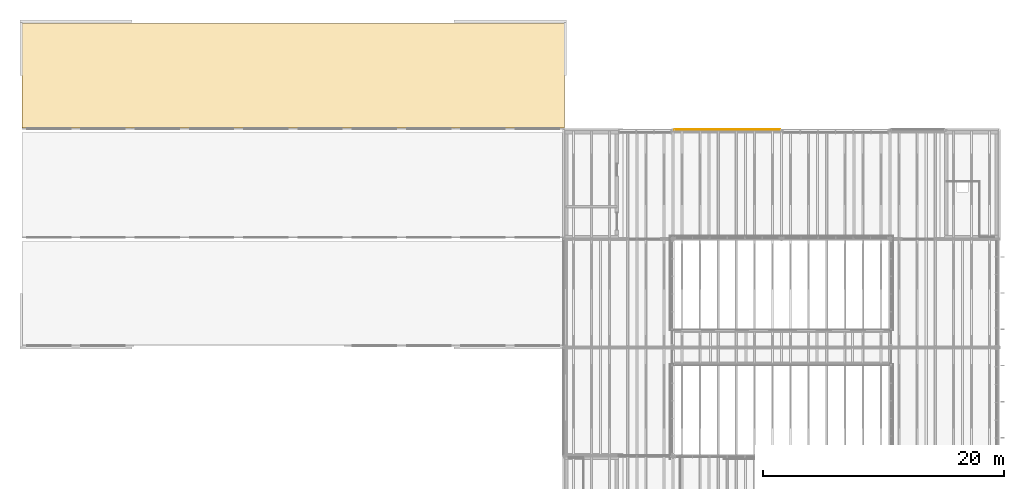
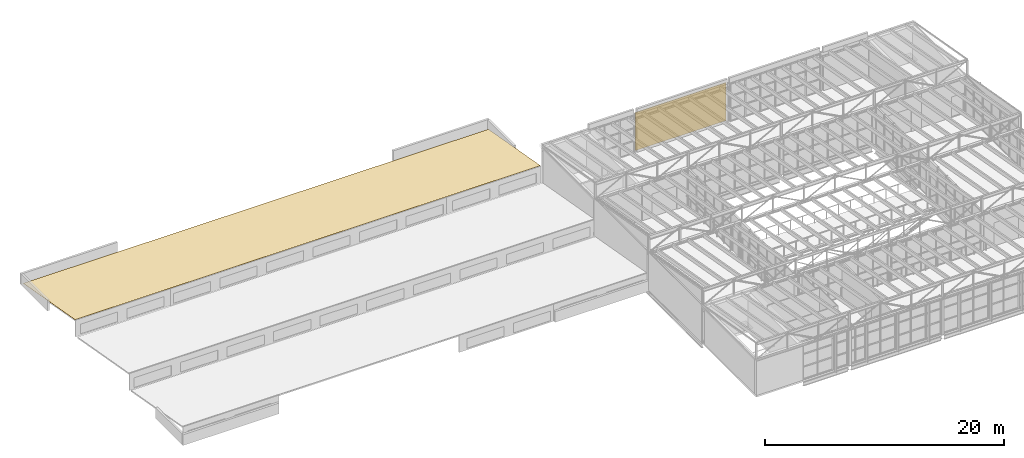
# One storey, part 43 of 44: 2 coverings.
"""IFC4 building model written with IfcOpenShell, lengths in metres."""

from ifc_helpers import new_model, si_unit, direction, frame, frame_2d, origin, place, context, subcontext, project, spatial, polyline, rectangle, outline, extrude, material, layer, layer_set, type_object, element, save


model = new_model("IFC4")

# Units and contexts
model_context = context("Model", 3, precision=1e-05, world=origin(), true_north=direction((0.0, 1.0)))
body_context = subcontext(model_context, "Body", "Model", "MODEL_VIEW")
ifc_project = project(units=[si_unit("LENGTHUNIT", "METRE"), si_unit("AREAUNIT", "SQUARE_METRE"), si_unit("VOLUMEUNIT", "CUBIC_METRE"), si_unit("PLANEANGLEUNIT", "RADIAN"), si_unit("MASSUNIT", "GRAM", prefix="KILO")], contexts=[model_context])

# Site, building, storey
site_placement = place(None, origin())
site = spatial("IfcSite", under=ifc_project, at=site_placement, CompositionType="ELEMENT")
building_placement = place(site_placement, origin())
building = spatial("IfcBuilding", under=site, at=building_placement, Name="Halyard Row Museum", CompositionType="ELEMENT")
storey_placement = place(building_placement, frame((0.0, 0.0, 21.199951171875)))
storey = spatial("IfcBuildingStorey", under=building, at=storey_placement, Name="L04", CompositionType="ELEMENT", Elevation=21.199951171875)

# Coverings
ifc_material_1 = material(Name="Single-ply roofing membrane on insulation", Category="general")
ifc_layer_1 = layer(ifc_material_1, 0.02001953125)
ifc_layer_set_1 = layer_set([ifc_layer_1], Name="Single-ply roofing membrane on insulation")
covering_type_1 = type_object("IfcCoveringType", Name="Roofing membrane 20", PredefinedType="ROOFING", material=ifc_layer_set_1)
covering_1_placement = place(storey_placement, frame((27.0, 36.174560546875, 1.589111328125), z_axis=(0.0, 0.175043469349, 0.98456070602), x_axis=(1.0, 0.0, 0.0)))
element("IfcCovering", 1, at=covering_1_placement, inside=storey, type_object=covering_type_1, Name="Roofing RC-V1-T3a", PredefinedType="ROOFING", context=body_context, shape_type="SweptSolid", body=[
    extrude(outline(polyline([(0.0, 0.0), (45.0, 0.0), (45.0, 8.821748442625461), (0.0, 8.821748442625461), (0.0, 0.0)])), origin(), (0.0, 0.0, -1.0), 0.02001953125),
])
ifc_material_2 = material(Name="Fire-retardant Type A timber battens", Category="wood")
ifc_layer_2 = layer(ifc_material_2, 0.050048828125)
ifc_layer_set_2 = layer_set([ifc_layer_2], Name="Fire-retardant Type A timber battens")
covering_type_2 = type_object("IfcCoveringType", Name="Timber batten cladding 50", PredefinedType="CLADDING", material=ifc_layer_set_2)
covering_2_placement = place(storey_placement, frame((89.89990234375, 36.0849609375, 0.0), z_axis=(0.0, 0.0, 1.0), x_axis=(-1.0, 0.0, 0.0)))
element("IfcCovering", 2, at=covering_2_placement, inside=storey, type_object=covering_type_2, Name="Cladding CLL04-002", PredefinedType="CLADDING", context=body_context, shape_type="SweptSolid", body=[
    extrude(rectangle(XDim=8.77490234375, YDim=0.050048828125, at=frame_2d((4.387451171875, 0.0))), origin(), (0.0, 0.0, 1.0), 3.878173828125),
])

save(model, "model.ifc")
